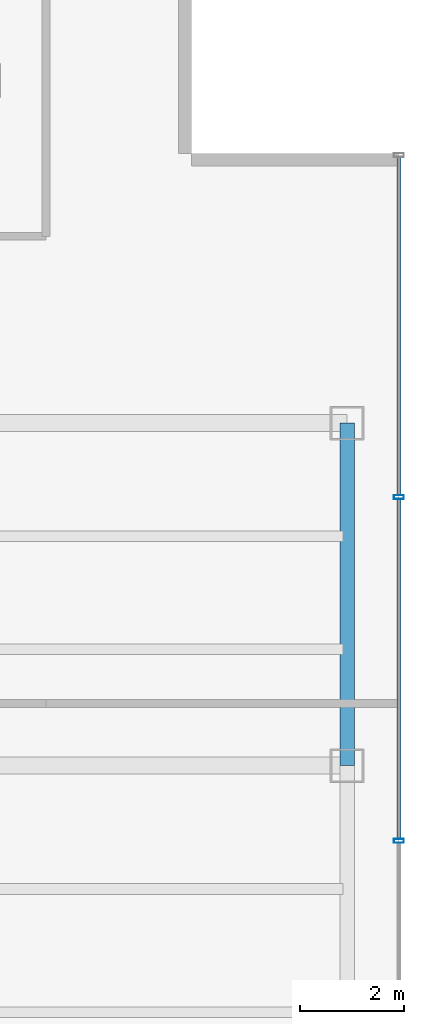
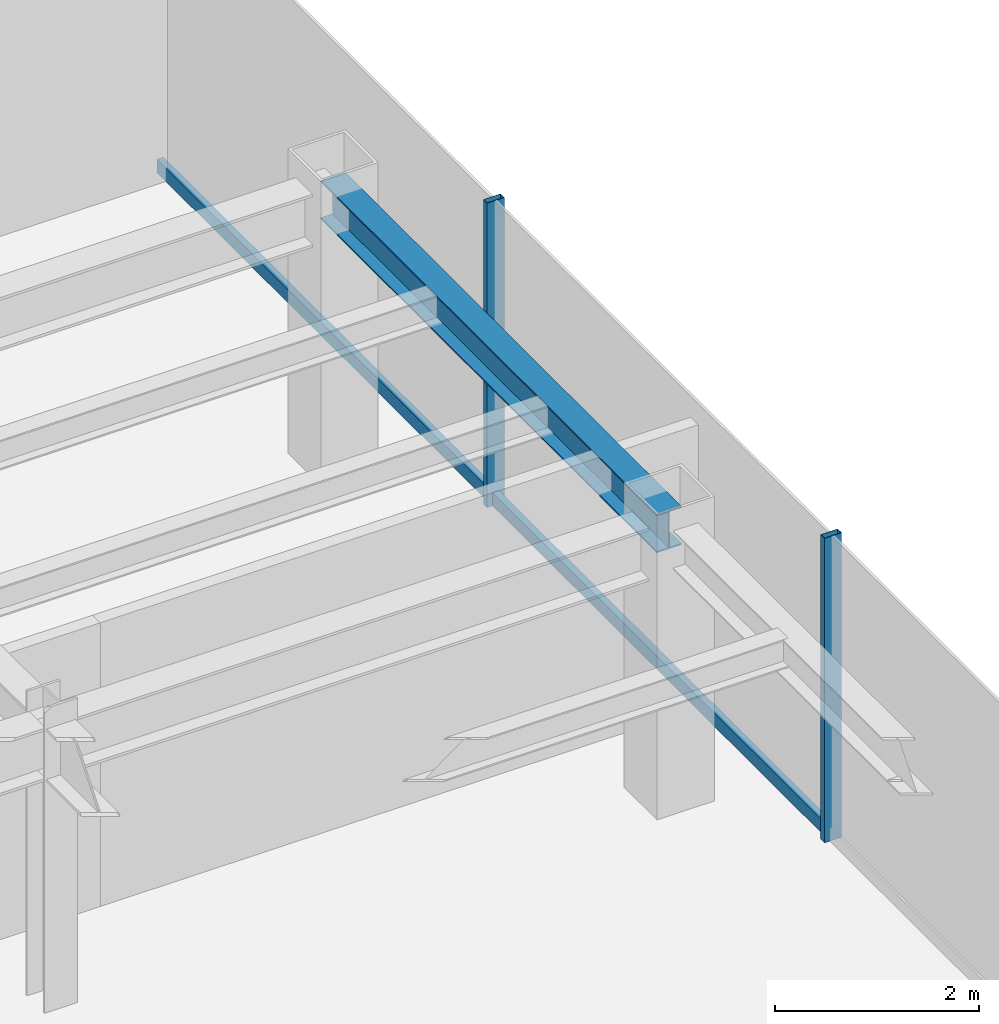
# One storey, part 13 of 25: 4 members, 1 beam, 1 element without a shape of its own.
"""IFC4 building model written with IfcOpenShell, lengths in metres."""

from ifc_helpers import new_model, si_unit, derived_unit, direction, frame, origin, origin_2d, place, context, subcontext, project, spatial, hollow_rectangle, i_section, extrude, source, transform, mapped, material, material_profile, profile_set, type_object, element, aggregate, save


model = new_model("IFC4")

# Units and contexts
model_context = context("Model", 3, precision=1e-05, world=origin(), true_north=direction((0.0, 1.0)))
body_context = subcontext(model_context, "Body", "Model", "MODEL_VIEW")
ifc_project = project(units=[si_unit("LENGTHUNIT", "METRE"), si_unit("AREAUNIT", "SQUARE_METRE"), si_unit("VOLUMEUNIT", "CUBIC_METRE"), si_unit("PLANEANGLEUNIT", "RADIAN"), si_unit("MASSUNIT", "GRAM", prefix="KILO"), derived_unit("THERMALTRANSMITTANCEUNIT", [(si_unit("POWERUNIT", "WATT"), 1), (si_unit("LENGTHUNIT", "METRE"), -2), (si_unit("THERMODYNAMICTEMPERATUREUNIT", "KELVIN"), -1)])], contexts=[model_context])

# Site, building, storey
site_placement = place(None, origin())
site = spatial("IfcSite", under=ifc_project, at=site_placement, CompositionType="ELEMENT")
building_placement = place(site_placement, origin())
building = spatial("IfcBuilding", under=site, at=building_placement, Name="Skarnbrae Concourse Arena and Tower", CompositionType="ELEMENT")
storey_placement = place(building_placement, frame((0.0, 0.0, 162.5)))
storey = spatial("IfcBuildingStorey", under=building, at=storey_placement, Name="L41", CompositionType="ELEMENT", Elevation=162.5)

# Beam
ifc_material_1 = material(Name="Steel CSA G40.21 350W", Category="steel")
ifc_material_profile_1 = material_profile(ifc_material_1, i_section(OverallWidth=0.280029296875, OverallDepth=0.462890625, WebThickness=0.0107421875, FlangeThickness=0.017333984375, at=origin_2d()), Name="W460X113")
ifc_profile_set_1 = profile_set([ifc_material_profile_1], Name="Steel CSA G40.21 350W")
beam_type = type_object("IfcBeamType", Name="BM-SPAN-W460X113", PredefinedType="SPANDREL", material=ifc_profile_set_1)
shared_shape_1 = source(origin(), body_context, "Body", "SweptSolid", [
    extrude(i_section(OverallWidth=0.280029296875, OverallDepth=0.462890625, WebThickness=0.0107421875, FlangeThickness=0.017333984375, at=origin_2d()), origin(), (0.0, 0.0, 1.0), 6.60009765625),
])
beam_placement = place(storey_placement, frame((49.0, 21.199951171875, 3.16845703125), z_axis=(0.0, 1.0, 0.0), x_axis=(-1.0, 0.0, 0.0)))
element("IfcBeam", 1, at=beam_placement, inside=storey, type_object=beam_type, Name="L41 Perimeter spandrel X49.0-3", PredefinedType="SPANDREL", context=body_context, shape_type="MappedRepresentation", body=[
    mapped(shared_shape_1, transform((0.0, 0.0, 0.0))),
])

# Curtain wall, members
ifc_material_2 = material(Name="Bronze anodised aluminium 6063-T6", Category="aluminium")
curtain_wall_type = type_object("IfcCurtainWallType", Name="CW-SYS-04-MIDZONE", PredefinedType="USERDEFINED", material=ifc_material_2)
curtain_wall_placement = place(storey_placement, origin())
curtain_wall = element("IfcCurtainWall", 2, at=curtain_wall_placement, inside=storey, type_object=curtain_wall_type, Name="L41 Unitised curtain wall CW-L41-E04", ObjectType="UNITISED CURTAIN WALL", PredefinedType="USERDEFINED")
ifc_material_profile_2 = material_profile(ifc_material_2, hollow_rectangle(XDim=0.074951171875, YDim=0.195068359375, WallThickness=0.00439453125, at=origin_2d()), Name="ALU-MULL-75X195")
ifc_profile_set_2 = profile_set([ifc_material_profile_2], Name="Bronze anodised aluminium 6063-T6")
member_type_1 = type_object("IfcMemberType", Name="CWM-CW-04", PredefinedType="MULLION", material=ifc_profile_set_2)
shared_shape_2 = source(origin(), body_context, "Body", "SweptSolid", [
    extrude(hollow_rectangle(XDim=0.074951171875, YDim=0.195068359375, WallThickness=0.00439453125, at=origin_2d()), origin(), (0.0, 0.0, 1.0), 3.64990234375),
])
member_1_placement = place(storey_placement, frame((50.0, 19.75, 0.0), z_axis=(0.0, 0.0, 1.0), x_axis=(0.0, 1.0, 0.0)))
member_1 = element("IfcMember", 3, at=member_1_placement, type_object=member_type_1, Name="CW-L41-E04 Mullion 3", PredefinedType="MULLION", context=body_context, shape_type="MappedRepresentation", body=[
    mapped(shared_shape_2, transform((0.0, 0.0, 0.0))),
])
member_2_placement = place(storey_placement, frame((50.0, 26.375, 0.0), z_axis=(0.0, 0.0, 1.0), x_axis=(0.0, 1.0, 0.0)))
member_2 = element("IfcMember", 4, at=member_2_placement, type_object=member_type_1, Name="CW-L41-E04 Mullion 4", PredefinedType="MULLION", context=body_context, shape_type="MappedRepresentation", body=[
    mapped(shared_shape_2, transform((0.0, 0.0, 0.0))),
])
ifc_material_profile_3 = material_profile(ifc_material_2, hollow_rectangle(XDim=0.074951171875, YDim=0.159912109375, WallThickness=0.00439453125, at=origin_2d()), Name="ALU-TRAN-75X160")
ifc_profile_set_3 = profile_set([ifc_material_profile_3], Name="Bronze anodised aluminium 6063-T6")
member_type_2 = type_object("IfcMemberType", Name="CWT-CW-04", PredefinedType="USERDEFINED", material=ifc_profile_set_3)
shared_shape_3 = source(origin(), body_context, "Body", "SweptSolid", [
    extrude(hollow_rectangle(XDim=0.074951171875, YDim=0.159912109375, WallThickness=0.00439453125, at=origin_2d()), origin(), (0.0, 0.0, 1.0), 6.512451171875),
])
member_3_placement = place(storey_placement, frame((50.0, 26.41259765625, 0.080078125), z_axis=(0.0, 1.0, 0.0), x_axis=(-1.0, 0.0, 0.0)))
member_3 = element("IfcMember", 5, at=member_3_placement, type_object=member_type_2, Name="CW-L41-E04 Transom 4", ObjectType="TRANSOM", PredefinedType="USERDEFINED", context=body_context, shape_type="MappedRepresentation", body=[
    mapped(shared_shape_3, transform((0.0, 0.0, 0.0))),
])
shared_shape_4 = source(origin(), body_context, "Body", "SweptSolid", [
    extrude(hollow_rectangle(XDim=0.074951171875, YDim=0.159912109375, WallThickness=0.00439453125, at=origin_2d()), origin(), (0.0, 0.0, 1.0), 6.5498046875),
])
member_4_placement = place(storey_placement, frame((50.0, 19.78759765625, 0.080078125), z_axis=(0.0, 1.0, 0.0), x_axis=(-1.0, 0.0, 0.0)))
member_4 = element("IfcMember", 6, at=member_4_placement, type_object=member_type_2, Name="CW-L41-E04 Transom 3", ObjectType="TRANSOM", PredefinedType="USERDEFINED", context=body_context, shape_type="MappedRepresentation", body=[
    mapped(shared_shape_4, transform((0.0, 0.0, 0.0))),
])
aggregate(curtain_wall, [member_1, member_2, member_4, member_3])

save(model, "model.ifc")
